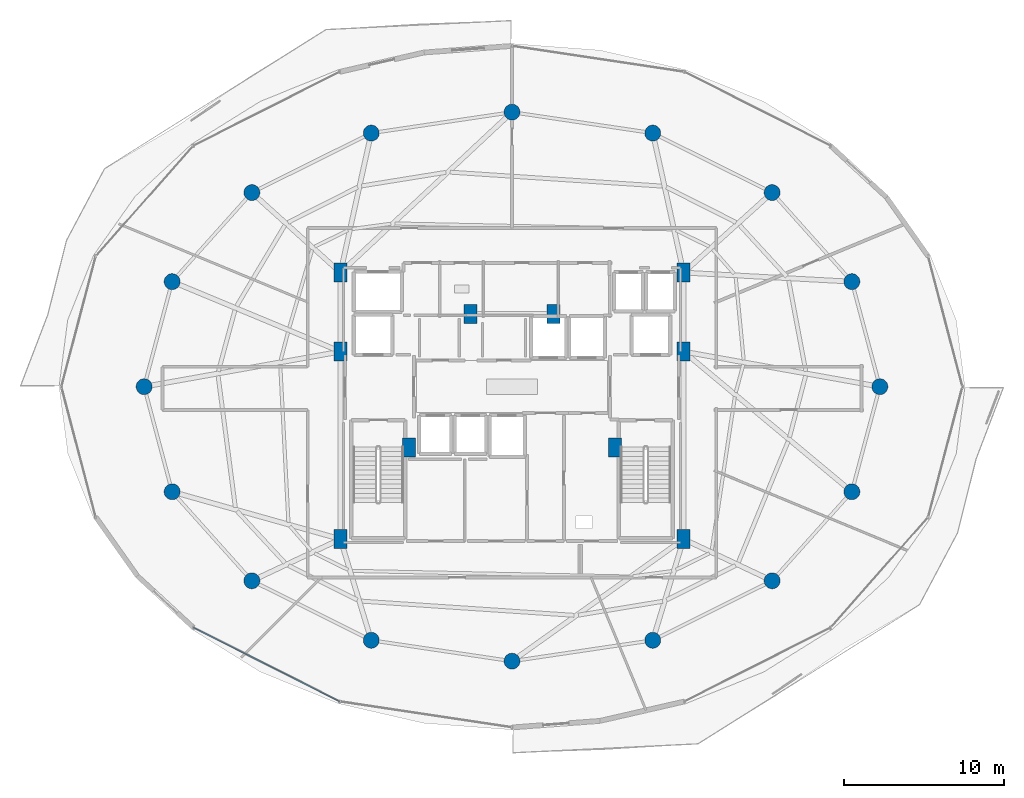
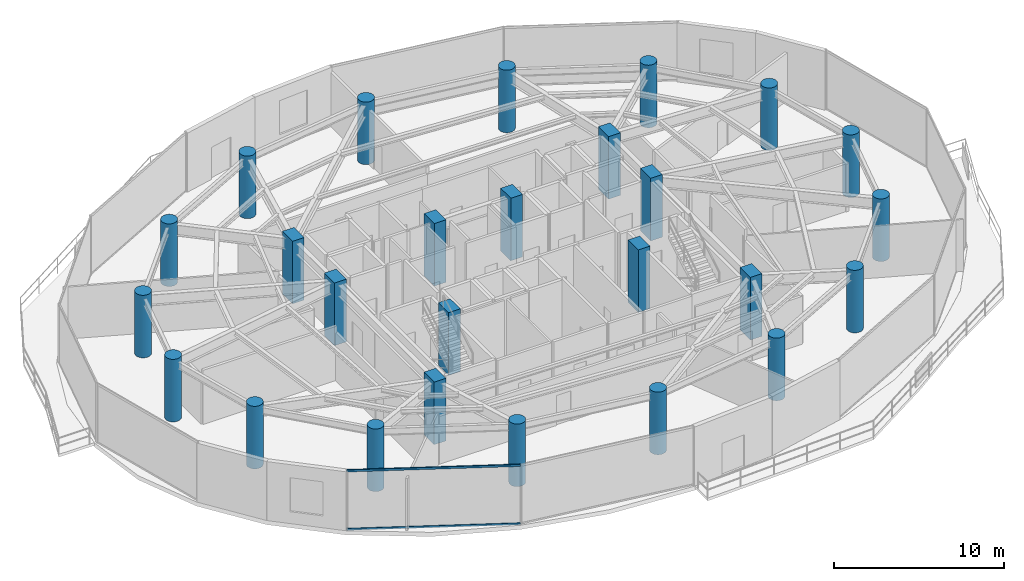
# One storey, part 1 of 31: 26 columns, 2 members, 1 element without a shape of its own.
"""IFC4 building model written with IfcOpenShell, lengths in metres."""

from ifc_helpers import new_model, si_unit, direction, frame, origin, origin_2d, place, context, subcontext, project, spatial, rectangle, hollow_rectangle, circle, extrude, material, material_profile, profile_set, type_object, element, aggregate, save


model = new_model("IFC4")

# Units and contexts
model_context = context("Model", 3, precision=1e-05, world=origin(), true_north=direction((0.0, 1.0)))
body_context = subcontext(model_context, "Body", "Model", "MODEL_VIEW")
ifc_project = project(units=[si_unit("LENGTHUNIT", "METRE"), si_unit("AREAUNIT", "SQUARE_METRE"), si_unit("VOLUMEUNIT", "CUBIC_METRE"), si_unit("PLANEANGLEUNIT", "RADIAN"), si_unit("MASSUNIT", "GRAM", prefix="KILO")], contexts=[model_context])

# Site, building, storey
site_placement = place(None, origin())
site = spatial("IfcSite", under=ifc_project, at=site_placement, CompositionType="ELEMENT")
building_placement = place(site_placement, origin())
building = spatial("IfcBuilding", under=site, at=building_placement, Name="Vorneva Point Tower", CompositionType="ELEMENT")
storey_placement = place(building_placement, frame((0.0, 0.0, 174.60009765625)))
storey = spatial("IfcBuildingStorey", under=building, at=storey_placement, Name="L47", CompositionType="ELEMENT", Elevation=174.60009765625)

# Columns
ifc_material_1 = material(Name="Concrete B60 (C50/60)", Category="concrete")
ifc_material_profile_1 = material_profile(ifc_material_1, circle(Radius=0.5, at=origin_2d()), Name="RC-CIRC 1000")
ifc_profile_set_1 = profile_set([ifc_material_profile_1], Name="Concrete B60 (C50/60)")
column_type_1 = type_object("IfcColumnType", Name="COL-RC1000C", PredefinedType="COLUMN", material=ifc_profile_set_1)
for number, where, z_axis, x_axis, name in (
    (1, (61.050048828125, 26.0, 0.0), (0.0, 0.0, 1.0), (1.0, 0.0, 0.0), "L47 Perimeter Column P01"),
    (2, (59.29541015625, 32.582275390625, 0.0), (0.0, 0.0, 1.0), (0.923879532511, 0.382683432365, 0.0), "L47 Perimeter Column P02"),
    (3, (54.298828125, 38.162109375, 0.0), (0.0, 0.0, 1.0), (0.707106781187, 0.707106781187, 0.0), "L47 Perimeter Column P03"),
    (4, (46.82080078125, 41.890625, 0.0), (0.0, 0.0, 1.0), (0.382683432365, 0.923879532511, 0.0), "L47 Perimeter Column P04"),
    (5, (38.0, 43.199951171875, 0.0), (0.0, 0.0, 1.0), (0.0, 1.0, 0.0), "L47 Perimeter Column P05"),
    (6, (29.17919921875, 41.890625, 0.0), (0.0, 0.0, 1.0), (-0.382683432365, 0.923879532511, 0.0), "L47 Perimeter Column P06"),
    (7, (21.701171875, 38.162109375, 0.0), (0.0, 0.0, 1.0), (-0.707106781187, 0.707106781187, 0.0), "L47 Perimeter Column P07"),
    (8, (16.70458984375, 32.582275390625, 0.0), (0.0, 0.0, 1.0), (-0.923879532511, 0.382683432365, 0.0), "L47 Perimeter Column P08"),
    (9, (14.949951171875, 26.0, 0.0), (0.0, 0.0, 1.0), (-1.0, 0.0, 0.0), "L47 Perimeter Column P09"),
    (10, (16.70458984375, 19.417724609375, 0.0), (0.0, 0.0, 1.0), (-0.923879532511, -0.382683432365, 0.0), "L47 Perimeter Column P10"),
    (11, (21.701171875, 13.837890625, 0.0), (0.0, 0.0, 1.0), (-0.707106781187, -0.707106781187, 0.0), "L47 Perimeter Column P11"),
    (12, (29.17919921875, 10.109375, 0.0), (0.0, 0.0, 1.0), (-0.382683432365, -0.923879532511, 0.0), "L47 Perimeter Column P12"),
    (13, (38.0, 8.800048828125, 0.0), (0.0, 0.0, 1.0), (0.0, -1.0, 0.0), "L47 Perimeter Column P13"),
    (14, (46.82080078125, 10.109375, 0.0), (0.0, 0.0, 1.0), (0.382683432365, -0.923879532511, 0.0), "L47 Perimeter Column P14"),
    (15, (54.298828125, 13.837890625, 0.0), (0.0, 0.0, 1.0), (0.707106781187, -0.707106781187, 0.0), "L47 Perimeter Column P15"),
    (16, (59.29541015625, 19.417724609375, 0.0), (0.0, 0.0, 1.0), (0.923879532511, -0.382683432365, 0.0), "L47 Perimeter Column P16"),
):
    element("IfcColumn", number, at=place(storey_placement, frame(where, z_axis=z_axis, x_axis=x_axis)), inside=storey, type_object=column_type_1, Name=name, PredefinedType="COLUMN", context=body_context, shape_type="SweptSolid", body=[
        extrude(circle(Radius=0.5, at=origin_2d()), origin(), (0.0, 0.0, 1.0), 4.5),
    ])
ifc_material_profile_2 = material_profile(ifc_material_1, rectangle(XDim=0.800048828125, YDim=1.199951171875, at=origin_2d()), Name="RC-PIL 1200x800")
ifc_profile_set_2 = profile_set([ifc_material_profile_2], Name="Concrete B60 (C50/60)")
column_type_2 = type_object("IfcColumnType", Name="PIL-RC1200x800", PredefinedType="PILASTER", material=ifc_profile_set_2)
for number, where, z_axis, x_axis, name in (
    (17, (27.25, 16.449951171875, 0.0), (0.0, 0.0, 1.0), (1.0, 0.0, 0.0), "L47 Core Pilaster CP1"),
    (18, (27.25, 28.199951171875, 0.0), (0.0, 0.0, 1.0), (1.0, 0.0, 0.0), "L47 Core Pilaster CP2"),
    (19, (27.25, 33.14990234375, 0.0), (0.0, 0.0, 1.0), (1.0, 0.0, 0.0), "L47 Core Pilaster CP3"),
    (20, (31.550048828125, 22.199951171875, 0.0), (0.0, 0.0, 1.0), (1.0, 0.0, 0.0), "L47 Core Pilaster CP4"),
    (21, (48.75, 33.14990234375, 0.0), (0.0, 0.0, 1.0), (1.0, 0.0, 0.0), "L47 Core Pilaster CP5"),
    (22, (48.75, 28.199951171875, 0.0), (0.0, 0.0, 1.0), (1.0, 0.0, 0.0), "L47 Core Pilaster CP6"),
    (23, (48.75, 16.449951171875, 0.0), (0.0, 0.0, 1.0), (1.0, 0.0, 0.0), "L47 Core Pilaster CP7"),
    (24, (44.449951171875, 22.199951171875, 0.0), (0.0, 0.0, 1.0), (1.0, 0.0, 0.0), "L47 Core Pilaster CP8"),
    (25, (35.39990234375, 30.550048828125, 0.0), (0.0, 0.0, 1.0), (1.0, 0.0, 0.0), "L47 Core Pilaster CP9"),
    (26, (40.60009765625, 30.550048828125, 0.0), (0.0, 0.0, 1.0), (1.0, 0.0, 0.0), "L47 Core Pilaster CP10"),
):
    element("IfcColumn", number, at=place(storey_placement, frame(where, z_axis=z_axis, x_axis=x_axis)), inside=storey, type_object=column_type_2, Name=name, PredefinedType="PILASTER", context=body_context, shape_type="SweptSolid", body=[
        extrude(rectangle(XDim=0.800048828125, YDim=1.199951171875, at=origin_2d()), origin(), (0.0, 0.0, 1.0), 4.5),
    ])

# Curtain wall, members
ifc_material_2 = material(Name="Pale anodised aluminium", Category="aluminium")
curtain_wall_type = type_object("IfcCurtainWallType", Name="CW-SKY-SYS", PredefinedType="NOTDEFINED", material=ifc_material_2)
curtain_wall_placement = place(storey_placement, origin())
curtain_wall = element("IfcCurtainWall", 27, at=curtain_wall_placement, inside=storey, type_object=curtain_wall_type, Name="L47 Unitised Curtain Wall CW-L47-R04", PredefinedType="NOTDEFINED")
ifc_material_profile_3 = material_profile(ifc_material_2, hollow_rectangle(XDim=0.074951171875, YDim=0.14990234375, WallThickness=0.00390625, at=origin_2d()), Name="AL-TRN 150x75x4")
ifc_profile_set_3 = profile_set([ifc_material_profile_3], Name="Pale anodised aluminium")
member_type = type_object("IfcMemberType", Name="CW-TRN-150", PredefinedType="USERDEFINED", material=ifc_profile_set_3)
member_1_placement = place(storey_placement, frame((18.038330078125, 10.9033203125, 0.02001953125), z_axis=(0.892510927709, -0.451025768576, 0.0), x_axis=(0.451025768576, 0.892510927709, 0.0)))
member_1 = element("IfcMember", 28, at=member_1_placement, type_object=member_type, Name="CW-L47-R04 Transom 01.1", ObjectType="TRANSOM", PredefinedType="USERDEFINED", context=body_context, shape_type="SweptSolid", body=[
    extrude(hollow_rectangle(XDim=0.074951171875, YDim=0.14990234375, WallThickness=0.00390625, at=origin_2d()), origin(), (0.0, 0.0, 1.0), 10.261474609375),
])
member_2_placement = place(storey_placement, frame((18.038330078125, 10.9033203125, 4.219970703125), z_axis=(0.892510927709, -0.451025768576, 0.0), x_axis=(0.451025768576, 0.892510927709, 0.0)))
member_2 = element("IfcMember", 29, at=member_2_placement, type_object=member_type, Name="CW-L47-R04 Transom 01.2", ObjectType="TRANSOM", PredefinedType="USERDEFINED", context=body_context, shape_type="SweptSolid", body=[
    extrude(hollow_rectangle(XDim=0.074951171875, YDim=0.14990234375, WallThickness=0.00390625, at=origin_2d()), origin(), (0.0, 0.0, 1.0), 10.261474609375),
])
aggregate(curtain_wall, [member_1, member_2])

save(model, "model.ifc")
